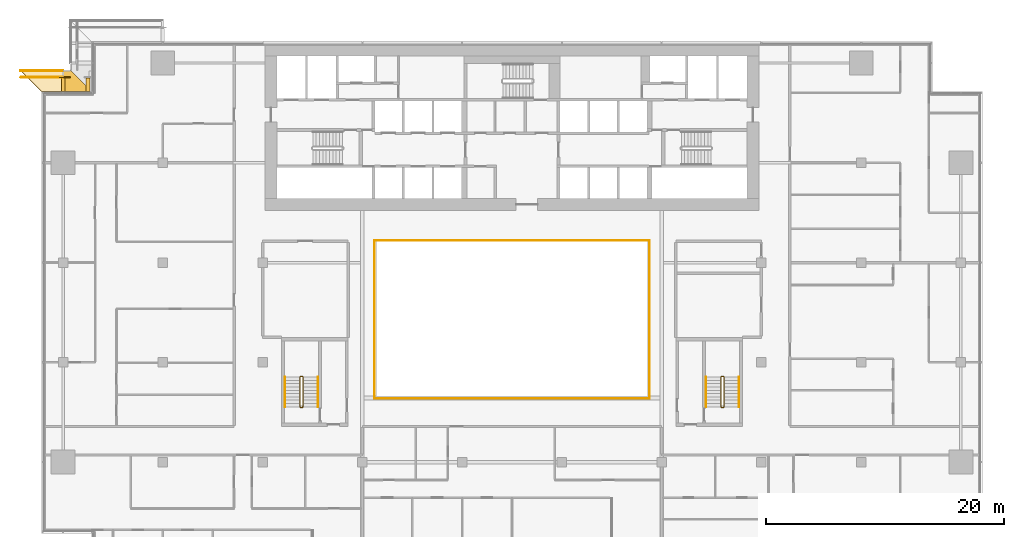
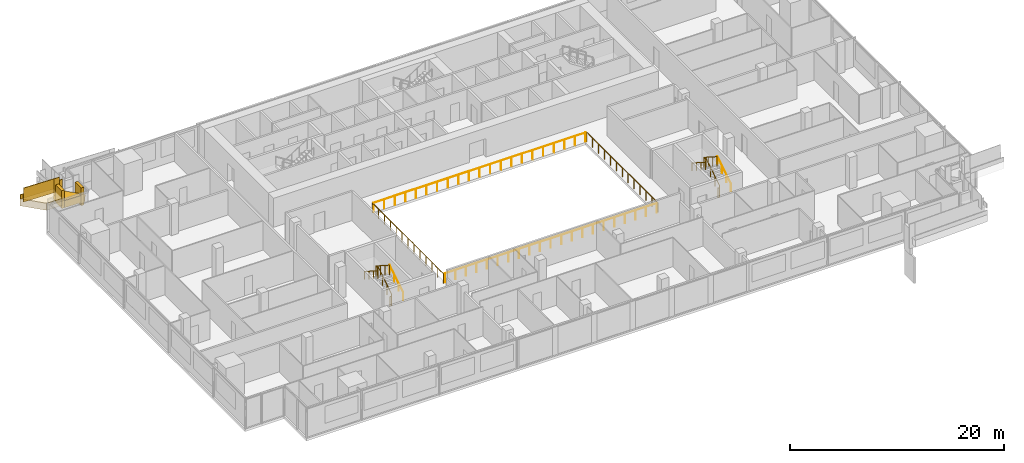
# One storey, part 26 of 30: 13 railings, 5 coverings.
"""IFC4 building model written with IfcOpenShell, lengths in metres."""

from ifc_helpers import new_model, si_unit, direction, frame, origin, origin_2d, place, context, subcontext, project, spatial, polyline, rectangle, circle, outline, extrude, material, layer, layer_set, type_object, element, save


model = new_model("IFC4")

# Units and contexts
model_context = context("Model", 3, precision=1e-05, world=origin(), true_north=direction((0.0, 1.0)))
body_context = subcontext(model_context, "Body", "Model", "MODEL_VIEW")
ifc_project = project(units=[si_unit("LENGTHUNIT", "METRE"), si_unit("AREAUNIT", "SQUARE_METRE"), si_unit("VOLUMEUNIT", "CUBIC_METRE"), si_unit("PLANEANGLEUNIT", "RADIAN"), si_unit("MASSUNIT", "GRAM", prefix="KILO")], contexts=[model_context])

# Site, building, storey
site_placement = place(None, origin())
site = spatial("IfcSite", under=ifc_project, at=site_placement, CompositionType="ELEMENT")
building_placement = place(site_placement, origin())
building = spatial("IfcBuilding", under=site, at=building_placement, Name="Saffron Gate Tower", CompositionType="ELEMENT")
storey_placement = place(building_placement, frame((0.0, 0.0, 127.64990234375)))
storey = spatial("IfcBuildingStorey", under=building, at=storey_placement, Name="L30", CompositionType="ELEMENT", Elevation=127.64990234375)

# Railings
ifc_material_1 = material(Name="Stainless steel and laminated glass", Category="steel")
railing_type_1 = type_object("IfcRailingType", Name="AG1 Atrium edge guard 1100", PredefinedType="GUARDRAIL", material=ifc_material_1)
railing_1_placement = place(storey_placement, frame((76.02001953125, 45.5400390625, 0.0)))
element("IfcRailing", 1, at=railing_1_placement, inside=storey, type_object=railing_type_1, Name="Guard B4-1", PredefinedType="GUARDRAIL", context=body_context, shape_type="SweptSolid", body=[
    extrude(circle(Radius=0.02392578125, at=origin_2d()), frame((0.0, 0.0, 1.076171875), z_axis=(0.0, 1.0, 0.0), x_axis=(-1.0, 0.0, 0.0)), (0.0, 0.0, 1.0), 13.320068359375),
    extrude(circle(Radius=0.02099609375, at=origin_2d()), origin(), (0.0, 0.0, 1.0), 1.052001953125),
    extrude(circle(Radius=0.02099609375, at=origin_2d()), frame((0.0, 1.110107421875, 0.0)), (0.0, 0.0, 1.0), 1.052001953125),
    extrude(circle(Radius=0.02099609375, at=origin_2d()), frame((0.0, 2.219970703125, 0.0)), (0.0, 0.0, 1.0), 1.052001953125),
    extrude(circle(Radius=0.02099609375, at=origin_2d()), frame((0.0, 3.330078125, 0.0)), (0.0, 0.0, 1.0), 1.052001953125),
    extrude(circle(Radius=0.02099609375, at=origin_2d()), frame((0.0, 4.43994140625, 0.0)), (0.0, 0.0, 1.0), 1.052001953125),
    extrude(circle(Radius=0.02099609375, at=origin_2d()), frame((0.0, 5.550048828125, 0.0)), (0.0, 0.0, 1.0), 1.052001953125),
    extrude(circle(Radius=0.02099609375, at=origin_2d()), frame((0.0, 6.66015625, 0.0)), (0.0, 0.0, 1.0), 1.052001953125),
    extrude(circle(Radius=0.02099609375, at=origin_2d()), frame((0.0, 7.77001953125, 0.0)), (0.0, 0.0, 1.0), 1.052001953125),
    extrude(circle(Radius=0.02099609375, at=origin_2d()), frame((0.0, 8.880126953125, 0.0)), (0.0, 0.0, 1.0), 1.052001953125),
    extrude(circle(Radius=0.02099609375, at=origin_2d()), frame((0.0, 9.989990234375, 0.0)), (0.0, 0.0, 1.0), 1.052001953125),
    extrude(circle(Radius=0.02099609375, at=origin_2d()), frame((0.0, 11.10009765625, 0.0)), (0.0, 0.0, 1.0), 1.052001953125),
    extrude(circle(Radius=0.02099609375, at=origin_2d()), frame((0.0, 12.2099609375, 0.0)), (0.0, 0.0, 1.0), 1.052001953125),
    extrude(circle(Radius=0.02099609375, at=origin_2d()), frame((0.0, 13.320068359375, 0.0)), (0.0, 0.0, 1.0), 1.052001953125),
])
railing_2_placement = place(storey_placement, frame((76.139892578125, 58.860107421875, 0.0)))
element("IfcRailing", 2, at=railing_2_placement, inside=storey, type_object=railing_type_1, Name="Guard B4-2", PredefinedType="GUARDRAIL", context=body_context, shape_type="SweptSolid", body=[
    extrude(circle(Radius=0.02392578125, at=origin_2d()), frame((0.0, 0.0, 1.076171875), z_axis=(1.0, 0.0, 0.0), x_axis=(0.0, 1.0, 0.0)), (0.0, 0.0, 1.0), 22.920166015625),
    extrude(circle(Radius=0.02099609375, at=origin_2d()), origin(), (0.0, 0.0, 1.0), 1.052001953125),
    extrude(circle(Radius=0.02099609375, at=origin_2d()), frame((1.14599609375, 0.0, 0.0)), (0.0, 0.0, 1.0), 1.052001953125),
    extrude(circle(Radius=0.02099609375, at=origin_2d()), frame((2.2919921875, 0.0, 0.0)), (0.0, 0.0, 1.0), 1.052001953125),
    extrude(circle(Radius=0.02099609375, at=origin_2d()), frame((3.43798828125, 0.0, 0.0)), (0.0, 0.0, 1.0), 1.052001953125),
    extrude(circle(Radius=0.02099609375, at=origin_2d()), frame((4.583984375, 0.0, 0.0)), (0.0, 0.0, 1.0), 1.052001953125),
    extrude(circle(Radius=0.02099609375, at=origin_2d()), frame((5.72998046875, 0.0, 0.0)), (0.0, 0.0, 1.0), 1.052001953125),
    extrude(circle(Radius=0.02099609375, at=origin_2d()), frame((6.8759765625, 0.0, 0.0)), (0.0, 0.0, 1.0), 1.052001953125),
    extrude(circle(Radius=0.02099609375, at=origin_2d()), frame((8.02197265625, 0.0, 0.0)), (0.0, 0.0, 1.0), 1.052001953125),
    extrude(circle(Radius=0.02099609375, at=origin_2d()), frame((9.16796875, 0.0, 0.0)), (0.0, 0.0, 1.0), 1.052001953125),
    extrude(circle(Radius=0.02099609375, at=origin_2d()), frame((10.31396484375, 0.0, 0.0)), (0.0, 0.0, 1.0), 1.052001953125),
    extrude(circle(Radius=0.02099609375, at=origin_2d()), frame((11.4599609375, 0.0, 0.0)), (0.0, 0.0, 1.0), 1.052001953125),
    extrude(circle(Radius=0.02099609375, at=origin_2d()), frame((12.606201171875, 0.0, 0.0)), (0.0, 0.0, 1.0), 1.052001953125),
    extrude(circle(Radius=0.02099609375, at=origin_2d()), frame((13.752197265625, 0.0, 0.0)), (0.0, 0.0, 1.0), 1.052001953125),
    extrude(circle(Radius=0.02099609375, at=origin_2d()), frame((14.898193359375, 0.0, 0.0)), (0.0, 0.0, 1.0), 1.052001953125),
    extrude(circle(Radius=0.02099609375, at=origin_2d()), frame((16.044189453125, 0.0, 0.0)), (0.0, 0.0, 1.0), 1.052001953125),
    extrude(circle(Radius=0.02099609375, at=origin_2d()), frame((17.190185546875, 0.0, 0.0)), (0.0, 0.0, 1.0), 1.052001953125),
    extrude(circle(Radius=0.02099609375, at=origin_2d()), frame((18.336181640625, 0.0, 0.0)), (0.0, 0.0, 1.0), 1.052001953125),
    extrude(circle(Radius=0.02099609375, at=origin_2d()), frame((19.482177734375, 0.0, 0.0)), (0.0, 0.0, 1.0), 1.052001953125),
    extrude(circle(Radius=0.02099609375, at=origin_2d()), frame((20.628173828125, 0.0, 0.0)), (0.0, 0.0, 1.0), 1.052001953125),
    extrude(circle(Radius=0.02099609375, at=origin_2d()), frame((21.774169921875, 0.0, 0.0)), (0.0, 0.0, 1.0), 1.052001953125),
    extrude(circle(Radius=0.02099609375, at=origin_2d()), frame((22.920166015625, 0.0, 0.0)), (0.0, 0.0, 1.0), 1.052001953125),
])
railing_3_placement = place(storey_placement, frame((99.179931640625, 58.860107421875, 0.0)))
element("IfcRailing", 3, at=railing_3_placement, inside=storey, type_object=railing_type_1, Name="Guard B4-3", PredefinedType="GUARDRAIL", context=body_context, shape_type="SweptSolid", body=[
    extrude(circle(Radius=0.02392578125, at=origin_2d()), frame((0.0, 0.0, 1.076171875), z_axis=(0.0, -1.0, 0.0), x_axis=(1.0, 0.0, 0.0)), (0.0, 0.0, 1.0), 13.320068359375),
    extrude(circle(Radius=0.02099609375, at=origin_2d()), origin(), (0.0, 0.0, 1.0), 1.052001953125),
    extrude(circle(Radius=0.02099609375, at=origin_2d()), frame((0.0, -1.110107421875, 0.0)), (0.0, 0.0, 1.0), 1.052001953125),
    extrude(circle(Radius=0.02099609375, at=origin_2d()), frame((0.0, -2.219970703125, 0.0)), (0.0, 0.0, 1.0), 1.052001953125),
    extrude(circle(Radius=0.02099609375, at=origin_2d()), frame((0.0, -3.330078125, 0.0)), (0.0, 0.0, 1.0), 1.052001953125),
    extrude(circle(Radius=0.02099609375, at=origin_2d()), frame((0.0, -4.43994140625, 0.0)), (0.0, 0.0, 1.0), 1.052001953125),
    extrude(circle(Radius=0.02099609375, at=origin_2d()), frame((0.0, -5.550048828125, 0.0)), (0.0, 0.0, 1.0), 1.052001953125),
    extrude(circle(Radius=0.02099609375, at=origin_2d()), frame((0.0, -6.66015625, 0.0)), (0.0, 0.0, 1.0), 1.052001953125),
    extrude(circle(Radius=0.02099609375, at=origin_2d()), frame((0.0, -7.77001953125, 0.0)), (0.0, 0.0, 1.0), 1.052001953125),
    extrude(circle(Radius=0.02099609375, at=origin_2d()), frame((0.0, -8.880126953125, 0.0)), (0.0, 0.0, 1.0), 1.052001953125),
    extrude(circle(Radius=0.02099609375, at=origin_2d()), frame((0.0, -9.989990234375, 0.0)), (0.0, 0.0, 1.0), 1.052001953125),
    extrude(circle(Radius=0.02099609375, at=origin_2d()), frame((0.0, -11.10009765625, 0.0)), (0.0, 0.0, 1.0), 1.052001953125),
    extrude(circle(Radius=0.02099609375, at=origin_2d()), frame((0.0, -12.2099609375, 0.0)), (0.0, 0.0, 1.0), 1.052001953125),
    extrude(circle(Radius=0.02099609375, at=origin_2d()), frame((0.0, -13.320068359375, 0.0)), (0.0, 0.0, 1.0), 1.052001953125),
])
railing_4_placement = place(storey_placement, frame((99.06005859375, 45.5400390625, 0.0)))
element("IfcRailing", 4, at=railing_4_placement, inside=storey, type_object=railing_type_1, Name="Guard B4-4", PredefinedType="GUARDRAIL", context=body_context, shape_type="SweptSolid", body=[
    extrude(circle(Radius=0.02392578125, at=origin_2d()), frame((0.0, 0.0, 1.076171875), z_axis=(-1.0, 0.0, 0.0), x_axis=(0.0, -1.0, 0.0)), (0.0, 0.0, 1.0), 22.920166015625),
    extrude(circle(Radius=0.02099609375, at=origin_2d()), origin(), (0.0, 0.0, 1.0), 1.052001953125),
    extrude(circle(Radius=0.02099609375, at=origin_2d()), frame((-1.14599609375, 0.0, 0.0)), (0.0, 0.0, 1.0), 1.052001953125),
    extrude(circle(Radius=0.02099609375, at=origin_2d()), frame((-2.2919921875, 0.0, 0.0)), (0.0, 0.0, 1.0), 1.052001953125),
    extrude(circle(Radius=0.02099609375, at=origin_2d()), frame((-3.43798828125, 0.0, 0.0)), (0.0, 0.0, 1.0), 1.052001953125),
    extrude(circle(Radius=0.02099609375, at=origin_2d()), frame((-4.583984375, 0.0, 0.0)), (0.0, 0.0, 1.0), 1.052001953125),
    extrude(circle(Radius=0.02099609375, at=origin_2d()), frame((-5.72998046875, 0.0, 0.0)), (0.0, 0.0, 1.0), 1.052001953125),
    extrude(circle(Radius=0.02099609375, at=origin_2d()), frame((-6.8759765625, 0.0, 0.0)), (0.0, 0.0, 1.0), 1.052001953125),
    extrude(circle(Radius=0.02099609375, at=origin_2d()), frame((-8.02197265625, 0.0, 0.0)), (0.0, 0.0, 1.0), 1.052001953125),
    extrude(circle(Radius=0.02099609375, at=origin_2d()), frame((-9.16796875, 0.0, 0.0)), (0.0, 0.0, 1.0), 1.052001953125),
    extrude(circle(Radius=0.02099609375, at=origin_2d()), frame((-10.31396484375, 0.0, 0.0)), (0.0, 0.0, 1.0), 1.052001953125),
    extrude(circle(Radius=0.02099609375, at=origin_2d()), frame((-11.4599609375, 0.0, 0.0)), (0.0, 0.0, 1.0), 1.052001953125),
    extrude(circle(Radius=0.02099609375, at=origin_2d()), frame((-12.606201171875, 0.0, 0.0)), (0.0, 0.0, 1.0), 1.052001953125),
    extrude(circle(Radius=0.02099609375, at=origin_2d()), frame((-13.752197265625, 0.0, 0.0)), (0.0, 0.0, 1.0), 1.052001953125),
    extrude(circle(Radius=0.02099609375, at=origin_2d()), frame((-14.898193359375, 0.0, 0.0)), (0.0, 0.0, 1.0), 1.052001953125),
    extrude(circle(Radius=0.02099609375, at=origin_2d()), frame((-16.044189453125, 0.0, 0.0)), (0.0, 0.0, 1.0), 1.052001953125),
    extrude(circle(Radius=0.02099609375, at=origin_2d()), frame((-17.190185546875, 0.0, 0.0)), (0.0, 0.0, 1.0), 1.052001953125),
    extrude(circle(Radius=0.02099609375, at=origin_2d()), frame((-18.336181640625, 0.0, 0.0)), (0.0, 0.0, 1.0), 1.052001953125),
    extrude(circle(Radius=0.02099609375, at=origin_2d()), frame((-19.482177734375, 0.0, 0.0)), (0.0, 0.0, 1.0), 1.052001953125),
    extrude(circle(Radius=0.02099609375, at=origin_2d()), frame((-20.628173828125, 0.0, 0.0)), (0.0, 0.0, 1.0), 1.052001953125),
    extrude(circle(Radius=0.02099609375, at=origin_2d()), frame((-21.774169921875, 0.0, 0.0)), (0.0, 0.0, 1.0), 1.052001953125),
    extrude(circle(Radius=0.02099609375, at=origin_2d()), frame((-22.920166015625, 0.0, 0.0)), (0.0, 0.0, 1.0), 1.052001953125),
])
railing_type_2 = type_object("IfcRailingType", Name="CR1 Stair guard 1100", PredefinedType="GUARDRAIL", material=ifc_material_1)
railing_5_placement = place(storey_placement, frame((69.800048828125, 44.800048828125, 0.0)))
element("IfcRailing", 5, at=railing_5_placement, inside=storey, type_object=railing_type_2, Name="L30 ST-D stair guard 1", PredefinedType="GUARDRAIL", context=body_context, shape_type="SweptSolid", body=[
    extrude(circle(Radius=0.02392578125, at=origin_2d()), frame((0.0, 0.0, 1.076171875), z_axis=(1.0, 0.0, 0.0), x_axis=(0.0, 1.0, 0.0)), (0.0, 0.0, 1.0), 0.14990234375),
    extrude(circle(Radius=0.02392578125, at=origin_2d()), frame((0.14990234375, 0.0, 1.076171875), z_axis=(0.258543844998, 0.258543844998, 0.930757841991), x_axis=(-0.707106781187, 0.707106781187, 0.0)), (0.0, 0.0, 1.0), 0.193603515625),
    extrude(circle(Radius=0.02392578125, at=origin_2d()), frame((0.199951171875, 0.050048828125, 1.25634765625), z_axis=(0.0, 0.841199657755, 0.540724639528), x_axis=(-1.0, 0.0, 0.0)), (0.0, 0.0, 1.0), 2.995849609375),
    extrude(circle(Radius=0.02392578125, at=origin_2d()), frame((0.199951171875, 2.570068359375, 2.8759765625), z_axis=(-0.708833529934, 0.705375805398, 0.0), x_axis=(-0.705375805398, -0.708833529934, 0.0)), (0.0, 0.0, 1.0), 0.070556640625),
    extrude(circle(Radius=0.02392578125, at=origin_2d()), frame((0.14990234375, 2.619873046875, 2.8759765625), z_axis=(-1.0, 0.0, 0.0), x_axis=(0.0, -1.0, 0.0)), (0.0, 0.0, 1.0), 0.14990234375),
    extrude(circle(Radius=0.02392578125, at=origin_2d()), frame((0.0, 2.619873046875, 2.8759765625), z_axis=(-0.258932105505, -0.257669022063, 0.930892496375), x_axis=(0.705375805398, -0.708833529934, 0.0)), (0.0, 0.0, 1.0), 0.193359375),
    extrude(circle(Radius=0.02392578125, at=origin_2d()), frame((-0.050048828125, 2.570068359375, 3.05615234375), z_axis=(0.0, -0.841162588446, 0.540782303519), x_axis=(1.0, 0.0, 0.0)), (0.0, 0.0, 1.0), 2.995849609375),
    extrude(circle(Radius=0.02099609375, at=origin_2d()), origin(), (0.0, 0.0, 1.0), 1.052001953125),
    extrude(circle(Radius=0.02099609375, at=origin_2d()), frame((0.14990234375, 0.0, 0.0)), (0.0, 0.0, 1.0), 1.052001953125),
    extrude(circle(Radius=0.02099609375, at=origin_2d()), frame((0.199951171875, 0.050048828125, 0.18017578125)), (0.0, 0.0, 1.0), 1.052001953125),
    extrude(circle(Radius=0.02099609375, at=origin_2d()), frame((0.199951171875, 0.89013671875, 0.72021484375)), (0.0, 0.0, 1.0), 1.052001953125),
    extrude(circle(Radius=0.02099609375, at=origin_2d()), frame((0.199951171875, 1.72998046875, 1.260009765625)), (0.0, 0.0, 1.0), 1.052001953125),
    extrude(circle(Radius=0.02099609375, at=origin_2d()), frame((0.199951171875, 2.570068359375, 1.800048828125)), (0.0, 0.0, 1.0), 1.052001953125),
    extrude(circle(Radius=0.02099609375, at=origin_2d()), frame((0.14990234375, 2.619873046875, 1.800048828125)), (0.0, 0.0, 1.0), 1.052001953125),
    extrude(circle(Radius=0.02099609375, at=origin_2d()), frame((0.0, 2.619873046875, 1.800048828125)), (0.0, 0.0, 1.0), 1.052001953125),
    extrude(circle(Radius=0.02099609375, at=origin_2d()), frame((-0.050048828125, 2.570068359375, 1.97998046875)), (0.0, 0.0, 1.0), 1.052001953125),
    extrude(circle(Radius=0.02099609375, at=origin_2d()), frame((-0.050048828125, 1.72998046875, 2.52001953125)), (0.0, 0.0, 1.0), 1.052001953125),
    extrude(circle(Radius=0.02099609375, at=origin_2d()), frame((-0.050048828125, 0.89013671875, 3.06005859375)), (0.0, 0.0, 1.0), 1.052001953125),
    extrude(circle(Radius=0.02099609375, at=origin_2d()), frame((-0.050048828125, 0.050048828125, 3.60009765625)), (0.0, 0.0, 1.0), 1.052001953125),
])
railing_6_placement = place(storey_placement, frame((105.25, 44.800048828125, 0.0)))
element("IfcRailing", 6, at=railing_6_placement, inside=storey, type_object=railing_type_2, Name="L30 ST-E stair guard 1", PredefinedType="GUARDRAIL", context=body_context, shape_type="SweptSolid", body=[
    extrude(circle(Radius=0.02392578125, at=origin_2d()), frame((0.0, 0.0, 1.076171875), z_axis=(1.0, 0.0, 0.0), x_axis=(0.0, 1.0, 0.0)), (0.0, 0.0, 1.0), 0.14990234375),
    extrude(circle(Radius=0.02392578125, at=origin_2d()), frame((0.14990234375, 0.0, 1.076171875), z_axis=(0.258543844998, 0.258543844998, 0.930757841991), x_axis=(-0.707106781187, 0.707106781187, 0.0)), (0.0, 0.0, 1.0), 0.193603515625),
    extrude(circle(Radius=0.02392578125, at=origin_2d()), frame((0.199951171875, 0.050048828125, 1.25634765625), z_axis=(0.0, 0.841199657755, 0.540724639528), x_axis=(-1.0, 0.0, 0.0)), (0.0, 0.0, 1.0), 2.995849609375),
    extrude(circle(Radius=0.02392578125, at=origin_2d()), frame((0.199951171875, 2.570068359375, 2.8759765625), z_axis=(-0.708833529934, 0.705375805398, 0.0), x_axis=(-0.705375805398, -0.708833529934, 0.0)), (0.0, 0.0, 1.0), 0.070556640625),
    extrude(circle(Radius=0.02392578125, at=origin_2d()), frame((0.14990234375, 2.619873046875, 2.8759765625), z_axis=(-1.0, 0.0, 0.0), x_axis=(0.0, -1.0, 0.0)), (0.0, 0.0, 1.0), 0.14990234375),
    extrude(circle(Radius=0.02392578125, at=origin_2d()), frame((0.0, 2.619873046875, 2.8759765625), z_axis=(-0.258932105505, -0.257669022063, 0.930892496375), x_axis=(0.705375805398, -0.708833529934, 0.0)), (0.0, 0.0, 1.0), 0.193359375),
    extrude(circle(Radius=0.02392578125, at=origin_2d()), frame((-0.050048828125, 2.570068359375, 3.05615234375), z_axis=(0.0, -0.841162588446, 0.540782303519), x_axis=(1.0, 0.0, 0.0)), (0.0, 0.0, 1.0), 2.995849609375),
    extrude(circle(Radius=0.02099609375, at=origin_2d()), origin(), (0.0, 0.0, 1.0), 1.052001953125),
    extrude(circle(Radius=0.02099609375, at=origin_2d()), frame((0.14990234375, 0.0, 0.0)), (0.0, 0.0, 1.0), 1.052001953125),
    extrude(circle(Radius=0.02099609375, at=origin_2d()), frame((0.199951171875, 0.050048828125, 0.18017578125)), (0.0, 0.0, 1.0), 1.052001953125),
    extrude(circle(Radius=0.02099609375, at=origin_2d()), frame((0.199951171875, 0.89013671875, 0.72021484375)), (0.0, 0.0, 1.0), 1.052001953125),
    extrude(circle(Radius=0.02099609375, at=origin_2d()), frame((0.199951171875, 1.72998046875, 1.260009765625)), (0.0, 0.0, 1.0), 1.052001953125),
    extrude(circle(Radius=0.02099609375, at=origin_2d()), frame((0.199951171875, 2.570068359375, 1.800048828125)), (0.0, 0.0, 1.0), 1.052001953125),
    extrude(circle(Radius=0.02099609375, at=origin_2d()), frame((0.14990234375, 2.619873046875, 1.800048828125)), (0.0, 0.0, 1.0), 1.052001953125),
    extrude(circle(Radius=0.02099609375, at=origin_2d()), frame((0.0, 2.619873046875, 1.800048828125)), (0.0, 0.0, 1.0), 1.052001953125),
    extrude(circle(Radius=0.02099609375, at=origin_2d()), frame((-0.050048828125, 2.570068359375, 1.97998046875)), (0.0, 0.0, 1.0), 1.052001953125),
    extrude(circle(Radius=0.02099609375, at=origin_2d()), frame((-0.050048828125, 1.72998046875, 2.52001953125)), (0.0, 0.0, 1.0), 1.052001953125),
    extrude(circle(Radius=0.02099609375, at=origin_2d()), frame((-0.050048828125, 0.89013671875, 3.06005859375)), (0.0, 0.0, 1.0), 1.052001953125),
    extrude(circle(Radius=0.02099609375, at=origin_2d()), frame((-0.050048828125, 0.050048828125, 3.60009765625)), (0.0, 0.0, 1.0), 1.052001953125),
])
ifc_material_2 = material(Name="Stainless steel", Category="steel")
railing_type_3 = type_object("IfcRailingType", Name="CR2 Stair handrail 900", PredefinedType="HANDRAIL", material=ifc_material_2)
railing_7_placement = place(storey_placement, frame((71.25, 44.85009765625, 0.18017578125)))
element("IfcRailing", 7, at=railing_7_placement, inside=storey, type_object=railing_type_3, Name="L30 ST-D stair handrail 1", PredefinedType="HANDRAIL", context=body_context, shape_type="SweptSolid", body=[
    extrude(circle(Radius=0.02392578125, at=origin_2d()), frame((0.0, 0.0, 0.8759765625), z_axis=(0.0, 0.841199657755, 0.540724639528), x_axis=(-1.0, 0.0, 0.0)), (0.0, 0.0, 1.0), 2.995849609375),
    extrude(circle(Radius=0.02099609375, at=origin_2d()), origin(), (0.0, 0.0, 1.0), 0.851806640625),
    extrude(circle(Radius=0.02099609375, at=origin_2d()), frame((0.0, 0.840087890625, 0.5400390625)), (0.0, 0.0, 1.0), 0.851806640625),
    extrude(circle(Radius=0.02099609375, at=origin_2d()), frame((0.0, 1.679931640625, 1.079833984375)), (0.0, 0.0, 1.0), 0.851806640625),
    extrude(circle(Radius=0.02099609375, at=origin_2d()), frame((0.0, 2.52001953125, 1.619873046875)), (0.0, 0.0, 1.0), 0.851806640625),
])
railing_8_placement = place(storey_placement, frame((68.5, 47.3701171875, 1.97998046875)))
element("IfcRailing", 8, at=railing_8_placement, inside=storey, type_object=railing_type_3, Name="L30 ST-D stair handrail 2", PredefinedType="HANDRAIL", context=body_context, shape_type="SweptSolid", body=[
    extrude(circle(Radius=0.02392578125, at=origin_2d()), frame((0.0, 0.0, 0.8759765625), z_axis=(0.0, -0.841162588446, 0.540782303519), x_axis=(1.0, 0.0, 0.0)), (0.0, 0.0, 1.0), 2.995849609375),
    extrude(circle(Radius=0.02099609375, at=origin_2d()), origin(), (0.0, 0.0, 1.0), 0.851806640625),
    extrude(circle(Radius=0.02099609375, at=origin_2d()), frame((0.0, -0.840087890625, 0.5400390625)), (0.0, 0.0, 1.0), 0.851806640625),
    extrude(circle(Radius=0.02099609375, at=origin_2d()), frame((0.0, -1.679931640625, 1.080078125)), (0.0, 0.0, 1.0), 0.851806640625),
    extrude(circle(Radius=0.02099609375, at=origin_2d()), frame((0.0, -2.52001953125, 1.6201171875)), (0.0, 0.0, 1.0), 0.851806640625),
])
railing_9_placement = place(storey_placement, frame((106.699951171875, 44.85009765625, 0.18017578125)))
element("IfcRailing", 9, at=railing_9_placement, inside=storey, type_object=railing_type_3, Name="L30 ST-E stair handrail 1", PredefinedType="HANDRAIL", context=body_context, shape_type="SweptSolid", body=[
    extrude(circle(Radius=0.02392578125, at=origin_2d()), frame((0.0, 0.0, 0.8759765625), z_axis=(0.0, 0.841199657755, 0.540724639528), x_axis=(-1.0, 0.0, 0.0)), (0.0, 0.0, 1.0), 2.995849609375),
    extrude(circle(Radius=0.02099609375, at=origin_2d()), origin(), (0.0, 0.0, 1.0), 0.851806640625),
    extrude(circle(Radius=0.02099609375, at=origin_2d()), frame((0.0, 0.840087890625, 0.5400390625)), (0.0, 0.0, 1.0), 0.851806640625),
    extrude(circle(Radius=0.02099609375, at=origin_2d()), frame((0.0, 1.679931640625, 1.079833984375)), (0.0, 0.0, 1.0), 0.851806640625),
    extrude(circle(Radius=0.02099609375, at=origin_2d()), frame((0.0, 2.52001953125, 1.619873046875)), (0.0, 0.0, 1.0), 0.851806640625),
])
railing_10_placement = place(storey_placement, frame((103.949951171875, 47.3701171875, 1.97998046875)))
element("IfcRailing", 10, at=railing_10_placement, inside=storey, type_object=railing_type_3, Name="L30 ST-E stair handrail 2", PredefinedType="HANDRAIL", context=body_context, shape_type="SweptSolid", body=[
    extrude(circle(Radius=0.02392578125, at=origin_2d()), frame((0.0, 0.0, 0.8759765625), z_axis=(0.0, -0.841162588446, 0.540782303519), x_axis=(1.0, 0.0, 0.0)), (0.0, 0.0, 1.0), 2.995849609375),
    extrude(circle(Radius=0.02099609375, at=origin_2d()), origin(), (0.0, 0.0, 1.0), 0.851806640625),
    extrude(circle(Radius=0.02099609375, at=origin_2d()), frame((0.0, -0.840087890625, 0.5400390625)), (0.0, 0.0, 1.0), 0.851806640625),
    extrude(circle(Radius=0.02099609375, at=origin_2d()), frame((0.0, -1.679931640625, 1.080078125)), (0.0, 0.0, 1.0), 0.851806640625),
    extrude(circle(Radius=0.02099609375, at=origin_2d()), frame((0.0, -2.52001953125, 1.6201171875)), (0.0, 0.0, 1.0), 0.851806640625),
])

# Coverings
ifc_material_3 = material(Name="Timber, thermally modified ash", Category="wood")
ifc_layer_1 = layer(ifc_material_3, 0.800048828125)
ifc_layer_set_1 = layer_set([ifc_layer_1], Name="LD1 ledge timber")
covering_type_1 = type_object("IfcCoveringType", Name="LD1 ledge timber", PredefinedType="CLADDING", material=ifc_layer_set_1)
covering_1_placement = place(storey_placement, frame((52.199951171875, 71.39990234375, 2.80712890625), z_axis=(0.028798988267, 2.8677152e-05, 0.999585222706), x_axis=(-0.999585223117, 6.17e-10, 0.028798988279)))
element("IfcCovering", 11, at=covering_1_placement, inside=storey, type_object=covering_type_1, Name="LEDGE", PredefinedType="CLADDING", context=body_context, shape_type="SweptSolid", body=[
    extrude(outline(polyline([(0.0, 0.0), (2.400896693585025, -4.235164736271502e-22), (2.400896694694882, -1.8000488273848385), (1.8007927832284332, -1.8000488292351673), (0.0, 0.0)])), origin(), (0.0, 0.0, -1.0), 0.800048828125),
])
covering_2_placement = place(storey_placement, frame((49.800048828125, 71.39990234375, 3.21923828125), z_axis=(0.028786835276, -4.5191264e-05, 0.999585572161), x_axis=(-0.999585573182, -2.041e-09, 0.028786835305)))
element("IfcCovering", 12, at=covering_2_placement, inside=storey, type_object=covering_type_1, Name="LEDGE", PredefinedType="CLADDING", context=body_context, shape_type="SweptSolid", body=[
    extrude(outline(polyline([(0.0, 0.0), (1.8007927832406818, 0.0), (3.601592590842695, -1.8000488373153904), (-3.674631647332522e-09, -1.800048826286925), (0.0, 0.0)])), origin(), (0.0, 0.0, -1.0), 0.800048828125),
])
ifc_layer_2 = layer(ifc_material_3, 0.080078125)
ifc_layer_set_2 = layer_set([ifc_layer_2], Name="LD2 ledge planter trough")
covering_type_2 = type_object("IfcCoveringType", Name="LD2 ledge planter trough", PredefinedType="CLADDING", material=ifc_layer_set_2)
covering_3_placement = place(storey_placement, frame((49.800048828125, 73.199951171875, 3.21923828125), z_axis=(0.0, 1.0, 0.0), x_axis=(-0.99958492274, 0.0, 0.028809412191)))
element("IfcCovering", 13, at=covering_3_placement, inside=storey, type_object=covering_type_2, Name="LEDGE planter trough", PredefinedType="CLADDING", context=body_context, shape_type="SweptSolid", body=[
    extrude(outline(polyline([(0.0, 0.0), (3.601592595435983, 0.0), (3.6159973015313485, 0.4997924613700232), (0.014404706095365512, 0.4997924613700232), (0.0, 0.0)])), origin(), (0.0, 0.0, -1.0), 0.080078125),
])
ifc_layer_3 = layer(ifc_material_3, 0.300048828125)
ifc_layer_set_3 = layer_set([ifc_layer_3], Name="LD3 ledge riser fin")
covering_type_3 = type_object("IfcCoveringType", Name="LD3 ledge riser fin", PredefinedType="CLADDING", material=ifc_layer_set_3)
for number, where, z_axis, x_axis, name in (
    (14, (51.89990234375, 71.9599609375, 1.6640625), (0.0, 0.0, 1.0), (-1.0, 0.0, 0.0), "LEDGE riser fin"),
    (15, (49.800048828125, 71.9599609375, 2.076171875), (0.0, 0.0, 1.0), (-1.0, 0.0, 0.0), "LEDGE riser fin"),
):
    element("IfcCovering", number, at=place(storey_placement, frame(where, z_axis=z_axis, x_axis=x_axis)), inside=storey, type_object=covering_type_3, Name=name, PredefinedType="CLADDING", context=body_context, shape_type="SweptSolid", body=[
        extrude(rectangle(XDim=0.300048828125, YDim=1.1201171875, at=origin_2d()), origin(), (0.0, 0.0, 1.0), 2.04296875),
    ])

# Railings
railing_type_4 = type_object("IfcRailingType", Name="LG1 ledge balustrade", PredefinedType="BALUSTRADE", material=ifc_material_3)
railing_11_placement = place(storey_placement, frame((50.39990234375, 72.60009765625, 2.85888671875)))
element("IfcRailing", 16, at=railing_11_placement, inside=storey, type_object=railing_type_4, Name="LEDGE BALUSTRADE", PredefinedType="BALUSTRADE", context=body_context, shape_type="SweptSolid", body=[
    extrude(rectangle(XDim=0.06005859375, YDim=1.60009765625, at=origin_2d()), frame((0.0, 0.0, 0.800048828125), z_axis=(-0.999582742162, 0.0, 0.028884971385), x_axis=(0.0, -1.0, 0.0)), (0.0, 0.0, 1.0), 0.60009765625),
])
railing_12_placement = place(storey_placement, frame((49.800048828125, 72.60009765625, 3.21923828125)))
element("IfcRailing", 17, at=railing_12_placement, inside=storey, type_object=railing_type_4, Name="LEDGE BALUSTRADE", PredefinedType="BALUSTRADE", context=body_context, shape_type="SweptSolid", body=[
    extrude(rectangle(XDim=0.06005859375, YDim=1.60009765625, at=origin_2d()), frame((0.0, 0.0, 0.800048828125), z_axis=(-0.99958492274, 0.0, 0.028809412191), x_axis=(0.0, -1.0, 0.0)), (0.0, 0.0, 1.0), 3.6015625),
])
railing_13_placement = place(storey_placement, frame((50.10009765625, 72.60009765625, 2.876220703125)))
element("IfcRailing", 18, at=railing_13_placement, inside=storey, type_object=railing_type_4, Name="LEDGE BALUSTRADE", PredefinedType="BALUSTRADE", context=body_context, shape_type="SweptSolid", body=[
    extrude(rectangle(XDim=0.06005859375, YDim=1.943115234375, at=origin_2d()), frame((0.0, 0.0, 0.9716796875), z_axis=(-1.0, 0.0, 0.0), x_axis=(0.0, -1.0, 0.0)), (0.0, 0.0, 1.0), 0.60009765625),
])

save(model, "model.ifc")
